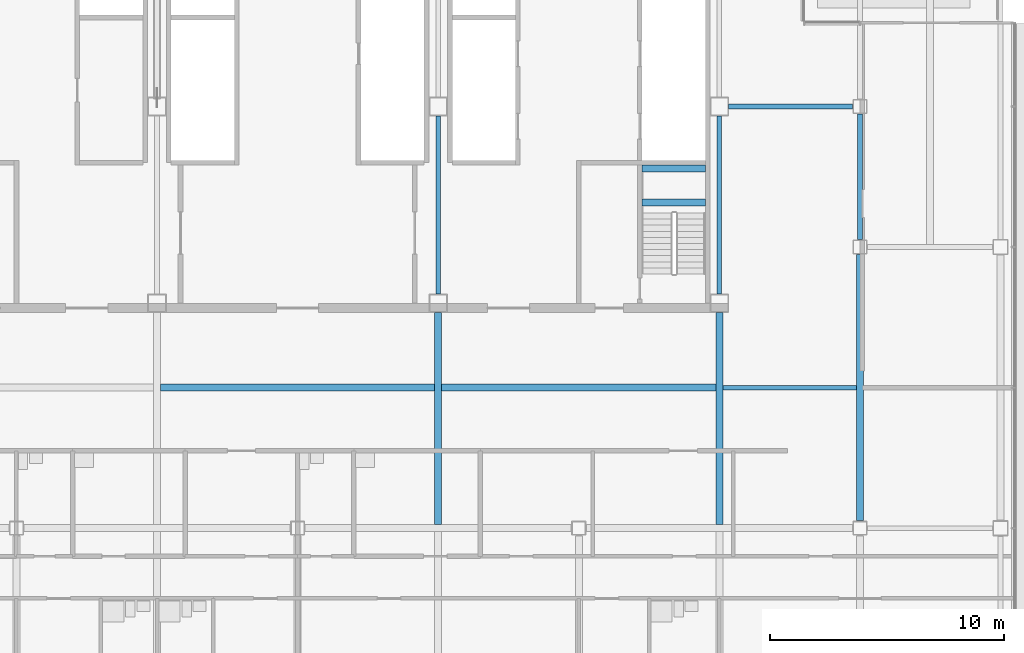
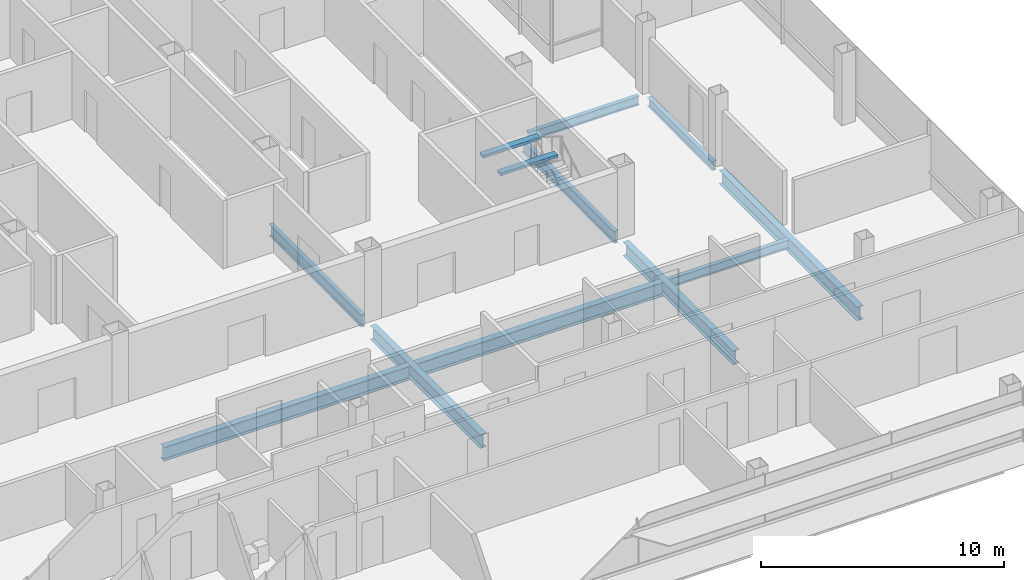
# One storey, part 10 of 29: 12 beams.
"""IFC4 building model written with IfcOpenShell, lengths in metres."""

from ifc_helpers import new_model, si_unit, direction, frame, origin, origin_2d, place, context, subcontext, project, spatial, rectangle, i_section, extrude, material, material_profile, profile_set, type_object, element, save


model = new_model("IFC4")

# Units and contexts
model_context = context("Model", 3, precision=1e-05, world=origin(), true_north=direction((0.0, 1.0)))
body_context = subcontext(model_context, "Body", "Model", "MODEL_VIEW")
ifc_project = project(units=[si_unit("LENGTHUNIT", "METRE"), si_unit("AREAUNIT", "SQUARE_METRE"), si_unit("VOLUMEUNIT", "CUBIC_METRE"), si_unit("PLANEANGLEUNIT", "RADIAN"), si_unit("MASSUNIT", "GRAM", prefix="KILO")], contexts=[model_context])

# Site, building, storey
site_placement = place(None, origin())
site = spatial("IfcSite", under=ifc_project, at=site_placement, CompositionType="ELEMENT")
building_placement = place(site_placement, origin())
building = spatial("IfcBuilding", under=site, at=building_placement, Name="Sorahane Residences", CompositionType="ELEMENT")
storey_placement = place(building_placement, frame((0.0, 0.0, 199.199951171875)))
storey = spatial("IfcBuildingStorey", under=building, at=storey_placement, Name="L46", CompositionType="ELEMENT", Elevation=199.199951171875)

# Beams
ifc_material_1 = material(Name="Concrete C40", Category="concrete")
ifc_material_profile_1 = material_profile(ifc_material_1, rectangle(XDim=0.300048828125, YDim=0.139892578125, at=origin_2d()), Name="300x140")
ifc_profile_set_1 = profile_set([ifc_material_profile_1], Name="Concrete C40")
beam_type_1 = type_object("IfcBeamType", Name="RC landing beam 300 x 140 Concrete C40", PredefinedType="BEAM", material=ifc_profile_set_1)
for number, where, z_axis, x_axis, name in (
    (1, (38.699951171875, 25.89990234375, 1.530029296875), (1.0, 0.0, 0.0), (0.0, 1.0, 0.0), "Landing beam"),
    (2, (38.699951171875, 27.35009765625, 1.530029296875), (1.0, 0.0, 0.0), (0.0, 1.0, 0.0), "Landing beam"),
):
    element("IfcBeam", number, at=place(storey_placement, frame(where, z_axis=z_axis, x_axis=x_axis)), inside=storey, type_object=beam_type_1, Name=name, PredefinedType="BEAM", context=body_context, shape_type="SweptSolid", body=[
        extrude(rectangle(XDim=0.300048828125, YDim=0.139892578125, at=origin_2d()), origin(), (0.0, 0.0, 1.0), 2.699951171875),
    ])
ifc_material_2 = material(Name="Steel Q355B", Category="steel")
ifc_material_profile_2 = material_profile(ifc_material_2, i_section(OverallWidth=0.199951171875, OverallDepth=0.449951171875, WebThickness=0.009033203125, FlangeThickness=0.013916015625, FilletRadius=0.02001953125, at=origin_2d()), Name="HN 450x200x9x14")
ifc_profile_set_2 = profile_set([ifc_material_profile_2], Name="Steel Q355B")
beam_type_2 = type_object("IfcBeamType", Name="Steel floor beam HN 450x200x9x14 Q355B", PredefinedType="BEAM", material=ifc_profile_set_2)
beam_1_placement = place(storey_placement, frame((48.0, 24.324951171875, -0.405029296875), z_axis=(0.0, 1.0, 0.0), x_axis=(-1.0, 0.0, 0.0)))
element("IfcBeam", 3, at=beam_1_placement, inside=storey, type_object=beam_type_2, Name="Beam L46 058", PredefinedType="BEAM", context=body_context, shape_type="SweptSolid", body=[
    extrude(i_section(OverallWidth=0.199951171875, OverallDepth=0.449951171875, WebThickness=0.009033203125, FlangeThickness=0.013916015625, FilletRadius=0.02001953125, at=origin_2d()), origin(), (0.0, 0.0, 1.0), 5.35009765625),
])
beam_2_placement = place(storey_placement, frame((42.14990234375, 18.0, -0.405029296875), z_axis=(1.0, 0.0, 0.0), x_axis=(0.0, 1.0, 0.0)))
element("IfcBeam", 4, at=beam_2_placement, inside=storey, type_object=beam_type_2, Name="Beam L46 080", PredefinedType="BEAM", context=body_context, shape_type="SweptSolid", body=[
    extrude(i_section(OverallWidth=0.199951171875, OverallDepth=0.449951171875, WebThickness=0.009033203125, FlangeThickness=0.013916015625, FilletRadius=0.02001953125, at=origin_2d()), origin(), (0.0, 0.0, 1.0), 5.7001953125),
])
beam_3_placement = place(storey_placement, frame((42.39990234375, 30.0, -0.405029296875), z_axis=(1.0, 0.0, 0.0), x_axis=(0.0, 1.0, 0.0)))
element("IfcBeam", 5, at=beam_3_placement, inside=storey, type_object=beam_type_2, Name="Beam L46 084", PredefinedType="BEAM", context=body_context, shape_type="SweptSolid", body=[
    extrude(i_section(OverallWidth=0.199951171875, OverallDepth=0.449951171875, WebThickness=0.009033203125, FlangeThickness=0.013916015625, FilletRadius=0.02001953125, at=origin_2d()), origin(), (0.0, 0.0, 1.0), 5.275146484375),
])
ifc_material_3 = material(Name="Steel Q355B", Category="steel")
ifc_material_profile_3 = material_profile(ifc_material_3, i_section(OverallWidth=0.199951171875, OverallDepth=0.60009765625, WebThickness=0.010986328125, FlangeThickness=0.01708984375, FilletRadius=0.02392578125, at=origin_2d()), Name="HN 600x200x11x17")
ifc_profile_set_3 = profile_set([ifc_material_profile_3], Name="Steel Q355B")
beam_type_3 = type_object("IfcBeamType", Name="Steel floor beam HN 600x200x11x17 Q355B", PredefinedType="BEAM", material=ifc_profile_set_3)
for number, where, z_axis, x_axis, name in (
    (6, (30.0, 22.0, -0.47998046875), (0.0, 1.0, 0.0), (-1.0, 0.0, 0.0), "Beam L46 045"),
    (7, (42.0, 22.0, -0.47998046875), (0.0, 1.0, 0.0), (-1.0, 0.0, 0.0), "Beam L46 053"),
):
    element("IfcBeam", number, at=place(storey_placement, frame(where, z_axis=z_axis, x_axis=x_axis)), inside=storey, type_object=beam_type_3, Name=name, PredefinedType="BEAM", context=body_context, shape_type="SweptSolid", body=[
        extrude(i_section(OverallWidth=0.199951171875, OverallDepth=0.60009765625, WebThickness=0.010986328125, FlangeThickness=0.01708984375, FilletRadius=0.02392578125, at=origin_2d()), origin(), (0.0, 0.0, 1.0), 7.60009765625),
    ])
ifc_material_4 = material(Name="Steel Q355B", Category="steel")
ifc_material_profile_4 = material_profile(ifc_material_4, i_section(OverallWidth=0.300048828125, OverallDepth=0.699951171875, WebThickness=0.012939453125, FlangeThickness=0.02392578125, FilletRadius=0.028076171875, at=origin_2d()), Name="HN 700x300x13x24")
ifc_profile_set_4 = profile_set([ifc_material_profile_4], Name="Steel Q355B")
beam_type_4 = type_object("IfcBeamType", Name="Steel floor beam HN 700x300x13x24 Q355B", PredefinedType="BEAM", material=ifc_profile_set_4)
for number, where, z_axis, x_axis, name in (
    (8, (30.0, 12.14990234375, -0.530029296875), (0.0, 1.0, 0.0), (-1.0, 0.0, 0.0), "Beam L46 044"),
    (9, (42.0, 12.14990234375, -0.530029296875), (0.0, 1.0, 0.0), (-1.0, 0.0, 0.0), "Beam L46 052"),
):
    element("IfcBeam", number, at=place(storey_placement, frame(where, z_axis=z_axis, x_axis=x_axis)), inside=storey, type_object=beam_type_4, Name=name, PredefinedType="BEAM", context=body_context, shape_type="SweptSolid", body=[
        extrude(i_section(OverallWidth=0.300048828125, OverallDepth=0.699951171875, WebThickness=0.012939453125, FlangeThickness=0.02392578125, FilletRadius=0.028076171875, at=origin_2d()), origin(), (0.0, 0.0, 1.0), 9.050048828125),
    ])
beam_4_placement = place(storey_placement, frame((48.0, 12.324951171875, -0.530029296875), z_axis=(0.0, 1.0, 0.0), x_axis=(-1.0, 0.0, 0.0)))
element("IfcBeam", 10, at=beam_4_placement, inside=storey, type_object=beam_type_4, Name="Beam L46 057", PredefinedType="BEAM", context=body_context, shape_type="SweptSolid", body=[
    extrude(i_section(OverallWidth=0.300048828125, OverallDepth=0.699951171875, WebThickness=0.012939453125, FlangeThickness=0.02392578125, FilletRadius=0.028076171875, at=origin_2d()), origin(), (0.0, 0.0, 1.0), 11.35009765625),
])
for number, where, z_axis, x_axis, name in (
    (11, (18.14990234375, 18.0, -0.530029296875), (1.0, 0.0, 0.0), (0.0, 1.0, 0.0), "Beam L46 078"),
    (12, (30.14990234375, 18.0, -0.530029296875), (1.0, 0.0, 0.0), (0.0, 1.0, 0.0), "Beam L46 079"),
):
    element("IfcBeam", number, at=place(storey_placement, frame(where, z_axis=z_axis, x_axis=x_axis)), inside=storey, type_object=beam_type_4, Name=name, PredefinedType="BEAM", context=body_context, shape_type="SweptSolid", body=[
        extrude(i_section(OverallWidth=0.300048828125, OverallDepth=0.699951171875, WebThickness=0.012939453125, FlangeThickness=0.02392578125, FilletRadius=0.028076171875, at=origin_2d()), origin(), (0.0, 0.0, 1.0), 11.7001953125),
    ])

save(model, "model.ifc")
